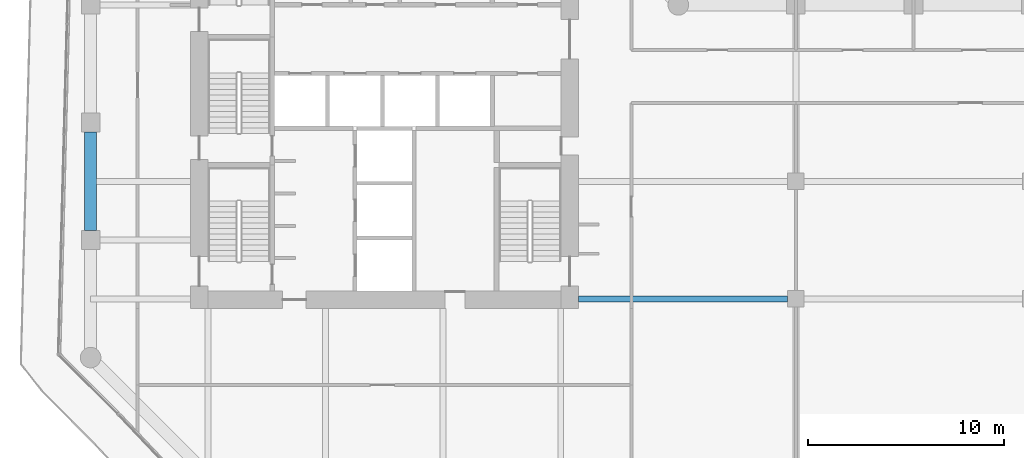
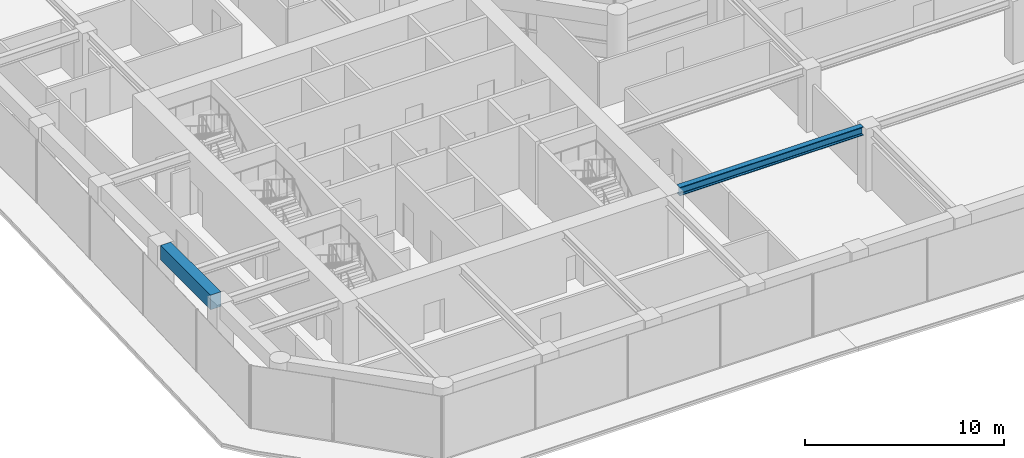
# One storey, part 4 of 28: 2 beams.
"""IFC4 building model written with IfcOpenShell, lengths in metres."""

from ifc_helpers import new_model, si_unit, direction, frame, origin, origin_2d, place, context, subcontext, project, spatial, rectangle, i_section, extrude, material, material_profile, profile_set, type_object, element, save


model = new_model("IFC4")

# Units and contexts
model_context = context("Model", 3, precision=1e-05, world=origin(), true_north=direction((0.0, 1.0)))
body_context = subcontext(model_context, "Body", "Model", "MODEL_VIEW")
ifc_project = project(units=[si_unit("LENGTHUNIT", "METRE"), si_unit("AREAUNIT", "SQUARE_METRE"), si_unit("VOLUMEUNIT", "CUBIC_METRE"), si_unit("PLANEANGLEUNIT", "RADIAN"), si_unit("MASSUNIT", "GRAM", prefix="KILO")], contexts=[model_context])

# Site, building, storey
site_placement = place(None, origin())
site = spatial("IfcSite", under=ifc_project, at=site_placement, CompositionType="ELEMENT")
building_placement = place(site_placement, origin())
building = spatial("IfcBuilding", under=site, at=building_placement, Name="Welwitschia Terrace Campus", CompositionType="ELEMENT")
storey_placement = place(building_placement, frame((0.0, 0.0, 45.800048828125)))
storey = spatial("IfcBuildingStorey", under=building, at=storey_placement, Name="L10", CompositionType="ELEMENT", Elevation=45.800048828125)

# Beams
ifc_material_1 = material(Name="Steel S355", Category="steel")
ifc_material_profile_1 = material_profile(ifc_material_1, i_section(OverallWidth=0.305908203125, OverallDepth=0.52392578125, WebThickness=0.02099609375, FlangeThickness=0.0400390625, FilletRadius=0.027099609375, at=origin_2d()))
ifc_profile_set_1 = profile_set([ifc_material_profile_1], Name="Steel S355")
beam_type_1 = type_object("IfcBeamType", Name="Interior girder HE 500 M", PredefinedType="BEAM", material=ifc_profile_set_1)
beam_1_placement = place(storey_placement, frame((24.90087890625, 5.0, 3.587890625), z_axis=(1.0, 0.0, 0.0), x_axis=(0.0, 1.0, 0.0)))
element("IfcBeam", 1, at=beam_1_placement, inside=storey, type_object=beam_type_1, Name="Girder GB2", PredefinedType="BEAM", context=body_context, shape_type="SweptSolid", body=[
    extrude(i_section(OverallWidth=0.305908203125, OverallDepth=0.52392578125, WebThickness=0.02099609375, FlangeThickness=0.0400390625, FilletRadius=0.027099609375, at=origin_2d()), origin(), (0.0, 0.0, 1.0), 10.673583984375),
])
ifc_material_2 = material(Name="Concrete C60/75", Category="concrete")
ifc_material_profile_2 = material_profile(ifc_material_2, rectangle(XDim=0.60009765625, YDim=0.89990234375, at=origin_2d()))
ifc_profile_set_2 = profile_set([ifc_material_profile_2], Name="Concrete C60/75")
beam_type_2 = type_object("IfcBeamType", Name="Ring spandrel 600x900", PredefinedType="SPANDREL", material=ifc_profile_set_2)
beam_2_placement = place(storey_placement, frame((0.0, 13.5244140625, 3.39990234375), z_axis=(0.0, -1.0, 0.0), x_axis=(1.0, 0.0, 0.0)))
element("IfcBeam", 2, at=beam_2_placement, inside=storey, type_object=beam_type_2, Name="Spandrel SP2", PredefinedType="SPANDREL", context=body_context, shape_type="SweptSolid", body=[
    extrude(rectangle(XDim=0.60009765625, YDim=0.89990234375, at=origin_2d()), origin(), (0.0, 0.0, 1.0), 5.048828125),
])

save(model, "model.ifc")
